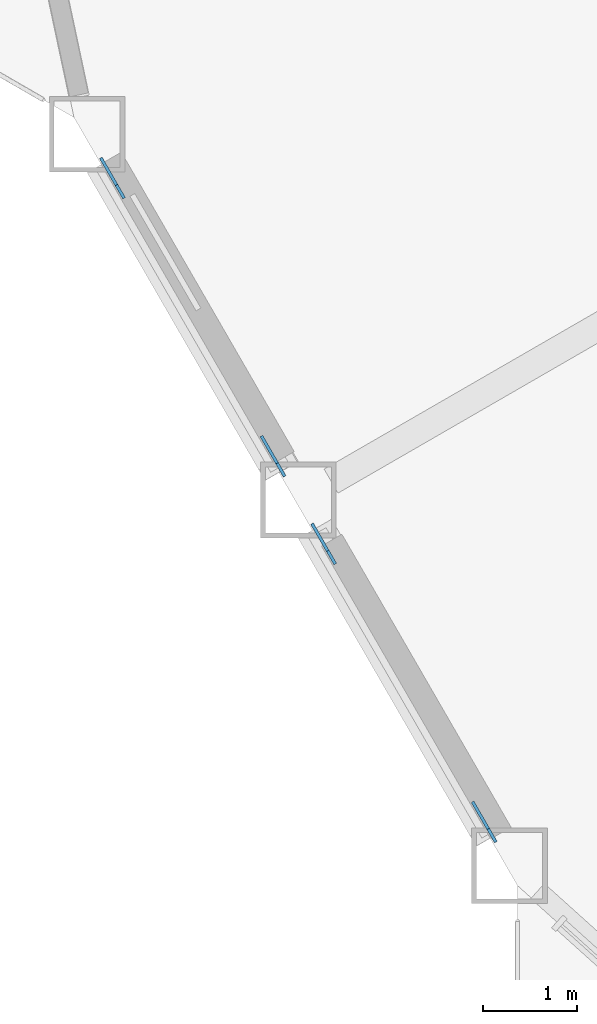
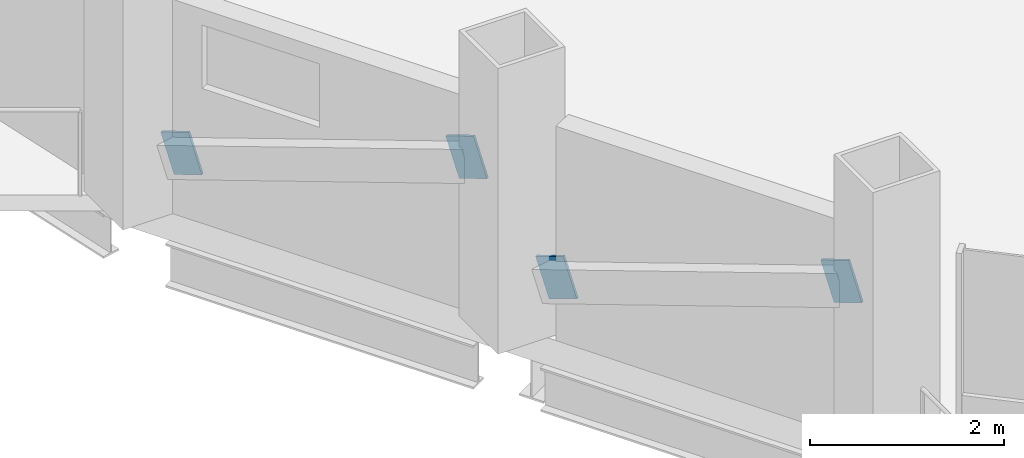
# One storey, part 17 of 24: 4 discrete accessories.
"""IFC4 building model written with IfcOpenShell, lengths in metres."""

from ifc_helpers import new_model, si_unit, direction, frame, origin, origin_2d, place, context, subcontext, project, spatial, rectangle, extrude, material, material_profile, profile_set, type_object, element, save


model = new_model("IFC4")

# Units and contexts
model_context = context("Model", 3, precision=1e-05, world=origin(), true_north=direction((0.0, 1.0)))
body_context = subcontext(model_context, "Body", "Model", "MODEL_VIEW")
ifc_project = project(units=[si_unit("LENGTHUNIT", "METRE"), si_unit("AREAUNIT", "SQUARE_METRE"), si_unit("VOLUMEUNIT", "CUBIC_METRE"), si_unit("PLANEANGLEUNIT", "RADIAN"), si_unit("MASSUNIT", "GRAM", prefix="KILO")], contexts=[model_context])

# Site, building, storey
site_placement = place(None, origin())
site = spatial("IfcSite", under=ifc_project, at=site_placement, CompositionType="ELEMENT")
building_placement = place(site_placement, origin())
building = spatial("IfcBuilding", under=site, at=building_placement, Name="Cormorant Prow Tower", CompositionType="ELEMENT")
storey_placement = place(building_placement, frame((0.0, 0.0, 201.60009765625)))
storey = spatial("IfcBuildingStorey", under=building, at=storey_placement, Name="L44", CompositionType="ELEMENT", Elevation=201.60009765625)

# Discrete accessories
ifc_material = material(Name="Structural steel ASTM A500 Gr C", Category="steel")
ifc_material_profile = material_profile(ifc_material, rectangle(XDim=0.031982421875, YDim=0.506103515625, at=origin_2d()), Name="Gusset plate 32x506")
ifc_profile_set = profile_set([ifc_material_profile], Name="Structural steel ASTM A500 Gr C")
discrete_accessory_type = type_object("IfcDiscreteAccessoryType", Name="Gusset plate 32x506", PredefinedType="BRACKET", material=ifc_profile_set)
discrete_accessory_1_placement = place(storey_placement, frame((-29.943359375, -12.935791015625, 0.83544921875), z_axis=(-0.47373689254, 0.821190460264, -0.318150254784), x_axis=(-0.866197837791, -0.499701216534, 0.0)))
element("IfcDiscreteAccessory", 1, at=discrete_accessory_1_placement, inside=storey, type_object=discrete_accessory_type, Name="Gusset plate GP2 L44.WSW00.g0", PredefinedType="BRACKET", context=body_context, shape_type="SweptSolid", body=[
    extrude(rectangle(XDim=0.031982421875, YDim=0.506103515625, at=origin_2d()), origin(), (0.0, 0.0, 1.0), 0.349853515625),
])
for number, where, z_axis, x_axis, name in (
    (2, (-28.40966796875, -15.59228515625, 1.865234375), (0.4742777402, -0.820918970906, 0.31804507284), (0.86587923604, 0.500253084543, 0.0), "Gusset plate GP2 L44.WSW00.g1"),
    (3, (-27.7080078125, -16.807373046875, 0.83544921875), (-0.4742777402, 0.820918970906, -0.31804507284), (-0.86587923604, -0.500253084543, 0.0), "Gusset plate GP2 L44.WSW01.g0"),
):
    element("IfcDiscreteAccessory", number, at=place(storey_placement, frame(where, z_axis=z_axis, x_axis=x_axis)), inside=storey, type_object=discrete_accessory_type, Name=name, PredefinedType="BRACKET", context=body_context, shape_type="SweptSolid", body=[
        extrude(rectangle(XDim=0.031982421875, YDim=0.506103515625, at=origin_2d()), origin(), (0.0, 0.0, 1.0), 0.35009765625),
    ])
discrete_accessory_2_placement = place(storey_placement, frame((-26.17431640625, -19.463623046875, 1.865234375), z_axis=(0.47373689254, -0.821190460264, 0.318150254784), x_axis=(0.866197837791, 0.499701216534, 0.0)))
element("IfcDiscreteAccessory", 4, at=discrete_accessory_2_placement, inside=storey, type_object=discrete_accessory_type, Name="Gusset plate GP2 L44.WSW01.g1", PredefinedType="BRACKET", context=body_context, shape_type="SweptSolid", body=[
    extrude(rectangle(XDim=0.031982421875, YDim=0.506103515625, at=origin_2d()), origin(), (0.0, 0.0, 1.0), 0.349853515625),
])

save(model, "model.ifc")
